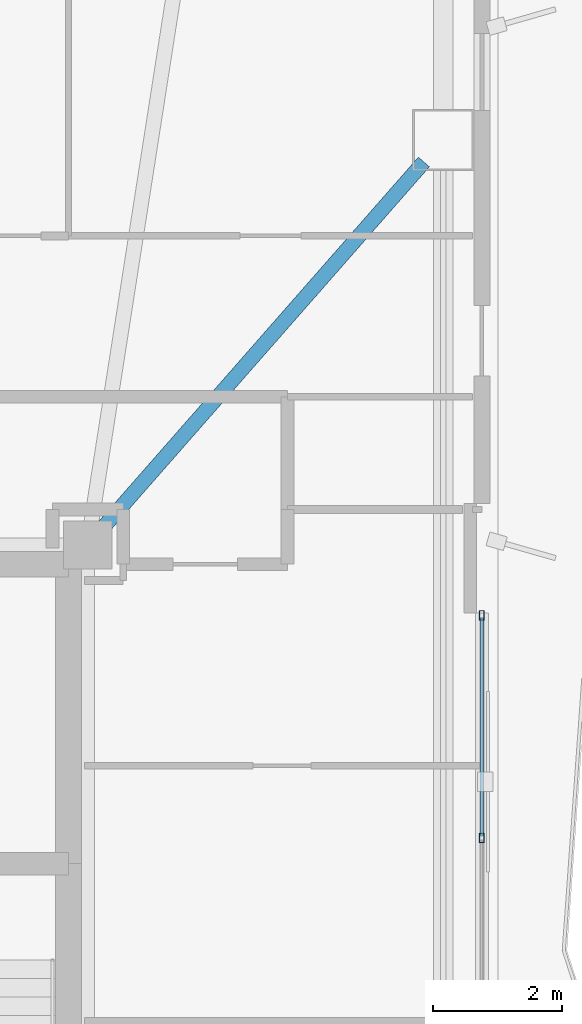
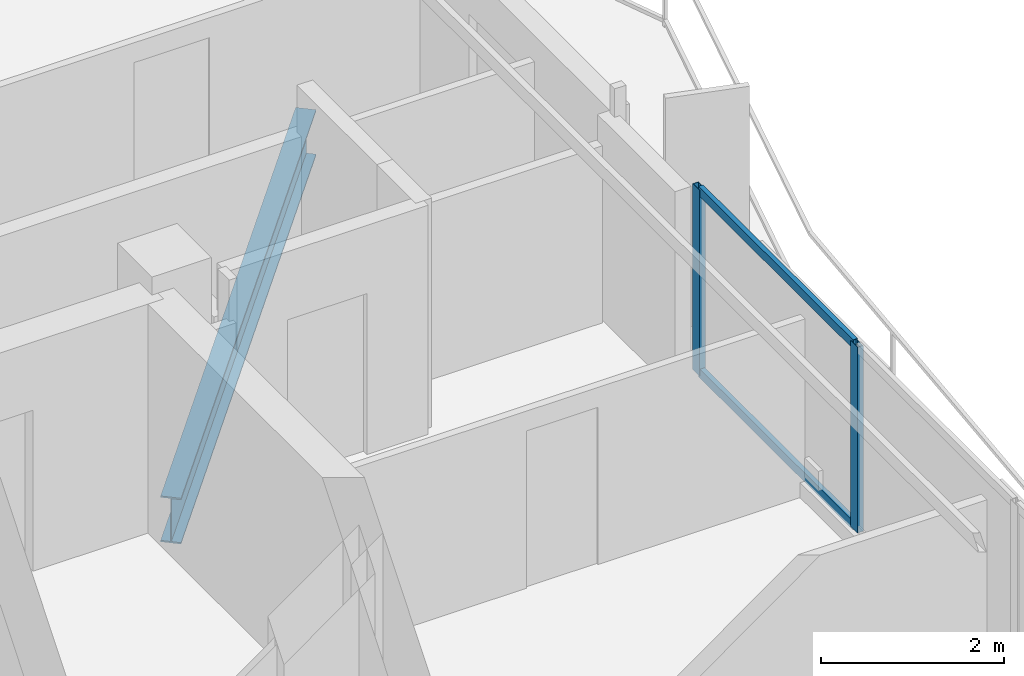
# One storey, part 9 of 19: 4 members, 1 beam, 1 element without a shape of its own.
"""IFC4 building model written with IfcOpenShell, lengths in metres."""

from ifc_helpers import new_model, si_unit, direction, frame, origin, origin_2d, place, context, subcontext, project, spatial, hollow_rectangle, i_section, extrude, material, layer, layer_set, material_profile, profile_set, type_object, element, aggregate, save


model = new_model("IFC4")

# Units and contexts
model_context = context("Model", 3, precision=1e-05, world=origin(), true_north=direction((0.0, 1.0)))
body_context = subcontext(model_context, "Body", "Model", "MODEL_VIEW")
ifc_project = project(units=[si_unit("LENGTHUNIT", "METRE"), si_unit("AREAUNIT", "SQUARE_METRE"), si_unit("VOLUMEUNIT", "CUBIC_METRE"), si_unit("PLANEANGLEUNIT", "RADIAN"), si_unit("MASSUNIT", "GRAM", prefix="KILO")], contexts=[model_context])

# Site, building, storey
site_placement = place(None, origin())
site = spatial("IfcSite", under=ifc_project, at=site_placement, CompositionType="ELEMENT")
building_placement = place(site_placement, origin())
building = spatial("IfcBuilding", under=site, at=building_placement, Name="Mersakhor Tower and Convention Hall", CompositionType="ELEMENT")
storey_placement = place(building_placement, frame((0.0, 0.0, 131.10009765625)))
storey = spatial("IfcBuildingStorey", under=building, at=storey_placement, Name="L36", CompositionType="ELEMENT", Elevation=131.10009765625)

# Beam
ifc_material_1 = material(Name="Steel S355", Category="steel")
ifc_material_profile_1 = material_profile(ifc_material_1, i_section(OverallWidth=0.22900390625, OverallDepth=0.6123046875, WebThickness=0.011962890625, FlangeThickness=0.01953125, at=origin_2d()), Name="UB 610x229x125")
ifc_profile_set_1 = profile_set([ifc_material_profile_1], Name="Steel S355")
beam_type = type_object("IfcBeamType", Name="BM-PR-610", PredefinedType="BEAM", material=ifc_profile_set_1)
beam_placement = place(storey_placement, frame((36.334228515625, 33.31689453125, -0.546142578125), z_axis=(0.65963831109, 0.751583194691, 0.0), x_axis=(-0.751583194691, 0.65963831109, 0.0)))
element("IfcBeam", 1, at=beam_placement, inside=storey, type_object=beam_type, Name="L36 Primary Floor Girder FG-3", PredefinedType="BEAM", context=body_context, shape_type="SweptSolid", body=[
    extrude(i_section(OverallWidth=0.22900390625, OverallDepth=0.6123046875, WebThickness=0.011962890625, FlangeThickness=0.01953125, at=origin_2d()), origin(), (0.0, 0.0, 1.0), 7.556884765625),
])

# Curtain wall, members
ifc_material_2 = material(Name="Dark solar low-E aluminium curtain wall", Category="aluminium")
ifc_layer = layer(ifc_material_2, 0.169921875)
ifc_layer_set = layer_set([ifc_layer], Name="Dark solar low-E aluminium curtain wall")
curtain_wall_type = type_object("IfcCurtainWallType", Name="CW-SYS-02", PredefinedType="USERDEFINED", material=ifc_layer_set)
curtain_wall_placement = place(storey_placement, origin())
curtain_wall = element("IfcCurtainWall", 2, at=curtain_wall_placement, inside=storey, type_object=curtain_wall_type, Name="L36 Dark-Glass Curtain Wall F2-B2", ObjectType="CURTAIN WALL", PredefinedType="USERDEFINED")
ifc_material_3 = material(Name="Anodised aluminium EN AW-6063 T6", Category="aluminium")
ifc_material_profile_2 = material_profile(ifc_material_3, hollow_rectangle(XDim=0.074951171875, YDim=0.14990234375, WallThickness=0.00634765625, at=origin_2d()), Name="RHS 150x75x6.3")
ifc_profile_set_2 = profile_set([ifc_material_profile_2], Name="Anodised aluminium EN AW-6063 T6")
member_type_1 = type_object("IfcMemberType", Name="CWM-150x75", PredefinedType="MULLION", material=ifc_profile_set_2)
member_1_placement = place(storey_placement, frame((42.21923828125, 31.95556640625, 0.199951171875), z_axis=(0.0, 0.0, 1.0), x_axis=(1.0, 0.0, 0.0)))
member_1 = element("IfcMember", 3, at=member_1_placement, type_object=member_type_1, Name="CW-02 mullion 1", PredefinedType="MULLION", context=body_context, shape_type="SweptSolid", body=[
    extrude(hollow_rectangle(XDim=0.074951171875, YDim=0.14990234375, WallThickness=0.00634765625, at=origin_2d()), origin(), (0.0, 0.0, 1.0), 2.47998046875),
])
member_2_placement = place(storey_placement, frame((42.21923828125, 28.49755859375, 0.199951171875), z_axis=(0.0, 0.0, 1.0), x_axis=(1.0, 0.0, 0.0)))
member_2 = element("IfcMember", 4, at=member_2_placement, type_object=member_type_1, Name="CW-02 mullion 2", PredefinedType="MULLION", context=body_context, shape_type="SweptSolid", body=[
    extrude(hollow_rectangle(XDim=0.074951171875, YDim=0.14990234375, WallThickness=0.00634765625, at=origin_2d()), origin(), (0.0, 0.0, 1.0), 2.47998046875),
])
ifc_material_4 = material(Name="Anodised aluminium EN AW-6063 T6", Category="aluminium")
ifc_material_profile_3 = material_profile(ifc_material_4, hollow_rectangle(XDim=0.06005859375, YDim=0.1201171875, WallThickness=0.0048828125, at=origin_2d()), Name="RHS 120x60x5")
ifc_profile_set_3 = profile_set([ifc_material_profile_3], Name="Anodised aluminium EN AW-6063 T6")
member_type_2 = type_object("IfcMemberType", Name="CWT-120x60", PredefinedType="USERDEFINED", material=ifc_profile_set_3)
member_3_placement = place(storey_placement, frame((42.21923828125, 31.91796875, 0.22998046875), z_axis=(0.0, -1.0, 0.0), x_axis=(1.0, 0.0, 0.0)))
member_3 = element("IfcMember", 5, at=member_3_placement, type_object=member_type_2, Name="CW-02 transom 1.1", ObjectType="TRANSOM", PredefinedType="USERDEFINED", context=body_context, shape_type="SweptSolid", body=[
    extrude(hollow_rectangle(XDim=0.06005859375, YDim=0.1201171875, WallThickness=0.0048828125, at=origin_2d()), origin(), (0.0, 0.0, 1.0), 3.3828125),
])
member_4_placement = place(storey_placement, frame((42.21923828125, 31.91796875, 2.64990234375), z_axis=(0.0, -1.0, 0.0), x_axis=(1.0, 0.0, 0.0)))
member_4 = element("IfcMember", 6, at=member_4_placement, type_object=member_type_2, Name="CW-02 transom 1.2", ObjectType="TRANSOM", PredefinedType="USERDEFINED", context=body_context, shape_type="SweptSolid", body=[
    extrude(hollow_rectangle(XDim=0.06005859375, YDim=0.1201171875, WallThickness=0.0048828125, at=origin_2d()), origin(), (0.0, 0.0, 1.0), 3.3828125),
])
aggregate(curtain_wall, [member_1, member_2, member_3, member_4])

save(model, "model.ifc")
